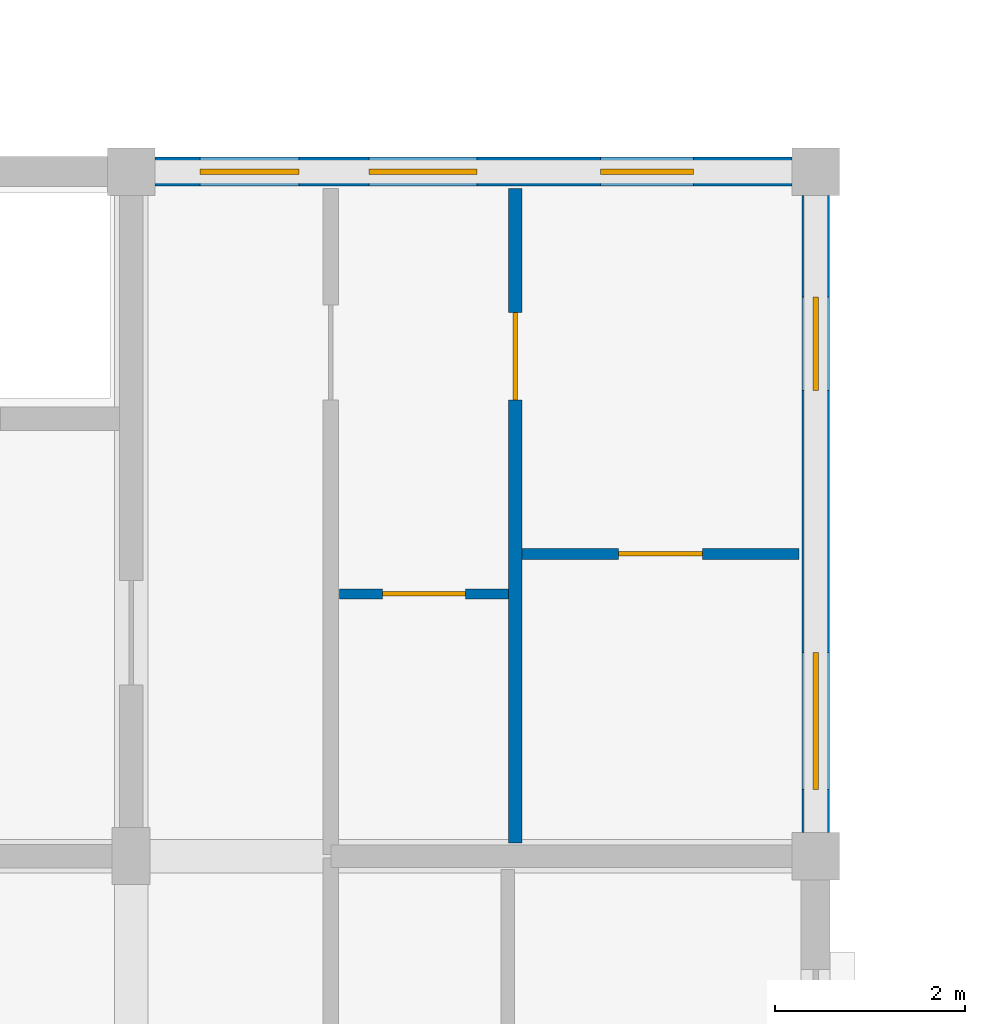
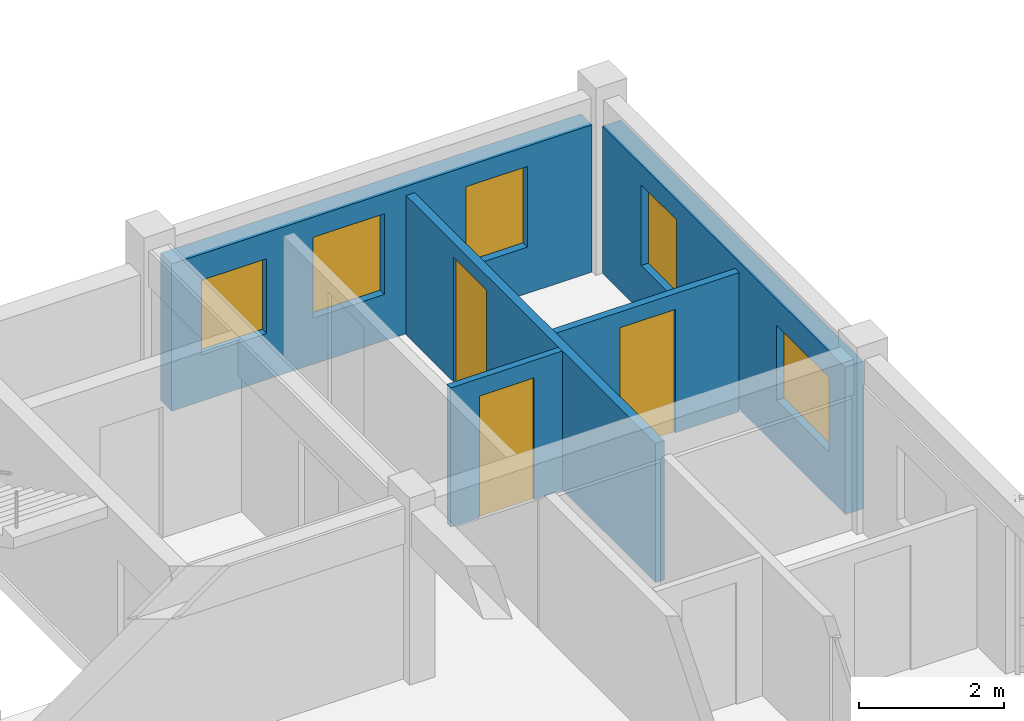
# One storey, part 53 of 70: 5 walls, 5 windows, 3 doors, 8 openings.
"""IFC4 building model written with IfcOpenShell, lengths in metres."""

from ifc_helpers import new_model, si_unit, direction, frame, frame_2d, origin, place, context, subcontext, project, spatial, rectangle, extrude, material, layer, layer_set, type_object, element, fill, save


model = new_model("IFC4")

# Units and contexts
model_context = context("Model", 3, precision=1e-05, world=origin(), true_north=direction((0.0, 1.0)))
body_context = subcontext(model_context, "Body", "Model", "MODEL_VIEW")
ifc_project = project(units=[si_unit("LENGTHUNIT", "METRE"), si_unit("AREAUNIT", "SQUARE_METRE"), si_unit("VOLUMEUNIT", "CUBIC_METRE"), si_unit("PLANEANGLEUNIT", "RADIAN"), si_unit("MASSUNIT", "GRAM", prefix="KILO"), si_unit("THERMODYNAMICTEMPERATUREUNIT", "KELVIN"), si_unit("POWERUNIT", "WATT")], contexts=[model_context])

# Site, building, storey
site_placement = place(None, origin())
site = spatial("IfcSite", under=ifc_project, at=site_placement, CompositionType="ELEMENT")
building_placement = place(site_placement, origin())
building = spatial("IfcBuilding", under=site, at=building_placement, Name="Tavuni Mirador Residences", CompositionType="ELEMENT")
storey_placement = place(building_placement, frame((0.0, 0.0, 23.39990234375)))
storey = spatial("IfcBuildingStorey", under=building, at=storey_placement, Name="L07", CompositionType="ELEMENT", Elevation=23.39990234375)

# Wall, openings, windows
ifc_material_1 = material(Name="Sgraffito lime-rendered precast concrete C40/50", Category="concrete")
ifc_layer_1 = layer(ifc_material_1, 0.2900390625, Name="Sgraffito lime-rendered precast concrete C40/50", Category="concrete")
ifc_layer_set_1 = layer_set([ifc_layer_1], Name="Sgraffito lime-rendered precast concrete C40/50")
wall_type_1 = type_object("IfcWallType", Name="WT-EXT-PC290", PredefinedType="SOLIDWALL", material=ifc_layer_set_1)
wall_1_placement = place(storey_placement, frame((25.199951171875, 86.64990234375, 0.0), z_axis=(0.0, 0.0, 1.0), x_axis=(0.0, 1.0, 0.0)))
wall_1 = element("IfcWall", 1, at=wall_1_placement, inside=storey, type_object=wall_type_1, Name="EW-BLK-B-L07-E03", PredefinedType="SOLIDWALL", context=body_context, shape_type="SweptSolid", body=[
    extrude(rectangle(XDim=6.7001953125, YDim=0.2900390625, at=frame_2d((3.35009765625, 0.0))), origin(), (0.0, 0.0, 1.0), 2.47998046875),
])
opening_1_placement = place(wall_1_placement, frame((0.449951171875, 0.0, 0.780029296875)))
opening_1 = element("IfcOpeningElement", 2, at=opening_1_placement, cuts=wall_1, Name="Opening WN-16", PredefinedType="OPENING", context=body_context, shape_type="SweptSolid", body=[
    extrude(rectangle(XDim=1.43994140625, YDim=1.260009765625, at=frame_2d((0.719970703125, 0.6298828125))), frame((0.0, 0.155029296875, 0.0), z_axis=(0.0, -1.0, 0.0), x_axis=(1.0, 0.0, 0.0)), (0.0, 0.0, 1.0), 0.31005859375),
])
opening_2_placement = place(wall_1_placement, frame((4.64990234375, 0.0, 0.780029296875)))
opening_2 = element("IfcOpeningElement", 3, at=opening_2_placement, cuts=wall_1, Name="Opening WN-18", PredefinedType="OPENING", context=body_context, shape_type="SweptSolid", body=[
    extrude(rectangle(XDim=0.97998046875, YDim=1.360107421875, at=frame_2d((0.489990234375, 0.68017578125))), frame((0.0, 0.155029296875, 0.0), z_axis=(0.0, -1.0, 0.0), x_axis=(1.0, 0.0, 0.0)), (0.0, 0.0, 1.0), 0.31005859375),
])
ifc_material_2 = material(Name="Laminated solar-control glass", Category="glass")
window_type_1 = type_object("IfcWindowType", Name="WNT-16", PartitioningType="SINGLE_PANEL", PredefinedType="WINDOW", material=ifc_material_2)
window_1_placement = place(opening_1_placement, origin())
window_1 = element("IfcWindow", 4, at=window_1_placement, inside=storey, type_object=window_type_1, Name="WIN-0758", OverallHeight=1.260009765625, OverallWidth=1.43994140625, PartitioningType="SINGLE_PANEL", PredefinedType="WINDOW", context=body_context, shape_type="SweptSolid", body=[
    extrude(rectangle(XDim=1.43994140625, YDim=1.260009765625, at=frame_2d((0.719970703125, 0.6298828125))), frame((0.0, 0.030029296875, 0.0), z_axis=(0.0, -1.0, 0.0), x_axis=(1.0, 0.0, 0.0)), (0.0, 0.0, 1.0), 0.06005859375),
])
fill(opening_1, window_1)
window_type_2 = type_object("IfcWindowType", Name="WNT-18", PartitioningType="SINGLE_PANEL", PredefinedType="WINDOW", material=ifc_material_2)
window_2_placement = place(opening_2_placement, origin())
window_2 = element("IfcWindow", 5, at=window_2_placement, inside=storey, type_object=window_type_2, Name="WIN-0759", OverallHeight=1.360107421875, OverallWidth=0.97998046875, PartitioningType="SINGLE_PANEL", PredefinedType="WINDOW", context=body_context, shape_type="SweptSolid", body=[
    extrude(rectangle(XDim=0.97998046875, YDim=1.360107421875, at=frame_2d((0.489990234375, 0.68017578125))), frame((0.0, 0.030029296875, 0.0), z_axis=(0.0, -1.0, 0.0), x_axis=(1.0, 0.0, 0.0)), (0.0, 0.0, 1.0), 0.06005859375),
])
fill(opening_2, window_2)

ifc_layer_2 = layer(ifc_material_1, 0.304931640625, Name="Sgraffito lime-rendered precast concrete C40/50", Category="concrete")
ifc_layer_set_2 = layer_set([ifc_layer_2], Name="Sgraffito lime-rendered precast concrete C40/50")
wall_type_2 = type_object("IfcWallType", Name="WT-EXT-PC305", PredefinedType="SOLIDWALL", material=ifc_layer_set_2)
wall_2_placement = place(storey_placement, frame((24.949951171875, 93.60009765625, 0.0), z_axis=(0.0, 0.0, 1.0), x_axis=(-1.0, 0.0, 0.0)))
wall_2 = element("IfcWall", 6, at=wall_2_placement, inside=storey, type_object=wall_type_2, Name="EW-BLK-B-L07-N02", PredefinedType="SOLIDWALL", context=body_context, shape_type="SweptSolid", body=[
    extrude(rectangle(XDim=6.699951171875, YDim=0.304931640625, at=frame_2d((3.35009765625, 0.0))), origin(), (0.0, 0.0, 1.0), 2.47998046875),
])
opening_3_placement = place(wall_2_placement, frame((1.034912109375, 0.0, 0.780029296875)))
opening_3 = element("IfcOpeningElement", 7, at=opening_3_placement, cuts=wall_2, Name="Opening WN-18", PredefinedType="OPENING", context=body_context, shape_type="SweptSolid", body=[
    extrude(rectangle(XDim=0.97998046875, YDim=1.360107421875, at=frame_2d((0.489990234375, 0.68017578125))), frame((0.0, 0.16259765625, 0.0), z_axis=(0.0, -1.0, 0.0), x_axis=(1.0, 0.0, 0.0)), (0.0, 0.0, 1.0), 0.324951171875),
])
opening_4_placement = place(wall_2_placement, frame((3.31005859375, 0.0, 0.780029296875)))
opening_4 = element("IfcOpeningElement", 8, at=opening_4_placement, cuts=wall_2, Name="Opening WN-20", PredefinedType="OPENING", context=body_context, shape_type="SweptSolid", body=[
    extrude(rectangle(XDim=1.139892578125, YDim=1.360107421875, at=frame_2d((0.56982421875, 0.68017578125))), frame((0.0, 0.16259765625, 0.0), z_axis=(0.0, -1.0, 0.0), x_axis=(1.0, 0.0, 0.0)), (0.0, 0.0, 1.0), 0.324951171875),
])
opening_5_placement = place(wall_2_placement, frame((5.18505859375, 0.0, 0.780029296875)))
opening_5 = element("IfcOpeningElement", 9, at=opening_5_placement, cuts=wall_2, Name="Opening WN-11", PredefinedType="OPENING", context=body_context, shape_type="SweptSolid", body=[
    extrude(rectangle(XDim=1.0400390625, YDim=1.260009765625, at=frame_2d((0.52001953125, 0.6298828125))), frame((0.0, 0.16259765625, 0.0), z_axis=(0.0, -1.0, 0.0), x_axis=(1.0, 0.0, 0.0)), (0.0, 0.0, 1.0), 0.324951171875),
])
window_type_3 = type_object("IfcWindowType", Name="WNT-11", PartitioningType="SINGLE_PANEL", PredefinedType="WINDOW", material=ifc_material_2)
window_3_placement = place(opening_5_placement, origin())
window_3 = element("IfcWindow", 10, at=window_3_placement, inside=storey, type_object=window_type_3, Name="WIN-0762", OverallHeight=1.260009765625, OverallWidth=1.0400390625, PartitioningType="SINGLE_PANEL", PredefinedType="WINDOW", context=body_context, shape_type="SweptSolid", body=[
    extrude(rectangle(XDim=1.0400390625, YDim=1.260009765625, at=frame_2d((0.52001953125, 0.6298828125))), frame((0.0, 0.030029296875, 0.0), z_axis=(0.0, -1.0, 0.0), x_axis=(1.0, 0.0, 0.0)), (0.0, 0.0, 1.0), 0.06005859375),
])
fill(opening_5, window_3)
window_4_placement = place(opening_3_placement, origin())
window_4 = element("IfcWindow", 11, at=window_4_placement, inside=storey, type_object=window_type_2, Name="WIN-0760", OverallHeight=1.360107421875, OverallWidth=0.97998046875, PartitioningType="SINGLE_PANEL", PredefinedType="WINDOW", context=body_context, shape_type="SweptSolid", body=[
    extrude(rectangle(XDim=0.97998046875, YDim=1.360107421875, at=frame_2d((0.489990234375, 0.68017578125))), frame((0.0, 0.030029296875, 0.0), z_axis=(0.0, -1.0, 0.0), x_axis=(1.0, 0.0, 0.0)), (0.0, 0.0, 1.0), 0.06005859375),
])
fill(opening_3, window_4)
window_type_4 = type_object("IfcWindowType", Name="WNT-20", PartitioningType="SINGLE_PANEL", PredefinedType="WINDOW", material=ifc_material_2)
window_5_placement = place(opening_4_placement, origin())
window_5 = element("IfcWindow", 12, at=window_5_placement, inside=storey, type_object=window_type_4, Name="WIN-0761", OverallHeight=1.360107421875, OverallWidth=1.139892578125, PartitioningType="SINGLE_PANEL", PredefinedType="WINDOW", context=body_context, shape_type="SweptSolid", body=[
    extrude(rectangle(XDim=1.139892578125, YDim=1.360107421875, at=frame_2d((0.56982421875, 0.68017578125))), frame((0.0, 0.030029296875, 0.0), z_axis=(0.0, -1.0, 0.0), x_axis=(1.0, 0.0, 0.0)), (0.0, 0.0, 1.0), 0.06005859375),
])
fill(opening_4, window_5)

# Wall, opening, door
ifc_material_3 = material(Name="Acoustic gypsum and concrete block partition", Category="concrete")
ifc_layer_3 = layer(ifc_material_3, 0.10498046875, Name="Acoustic gypsum and concrete block partition", Category="concrete")
ifc_layer_set_3 = layer_set([ifc_layer_3], Name="Acoustic gypsum and concrete block partition")
wall_type_3 = type_object("IfcWallType", Name="WT-PART105", PredefinedType="PARTITIONING", material=ifc_layer_set_3)
wall_3_placement = place(storey_placement, frame((20.18994140625, 89.159912109375, 0.0), z_axis=(0.0, 0.0, 1.0), x_axis=(1.0, 0.0, 0.0)))
wall_3 = element("IfcWall", 13, at=wall_3_placement, inside=storey, type_object=wall_type_3, Name="PW-BLK-B-L07-E03-IN1", PredefinedType="PARTITIONING", context=body_context, shape_type="SweptSolid", body=[
    extrude(rectangle(XDim=1.780029296875, YDim=0.10498046875, at=frame_2d((0.89013671875, 0.0))), origin(), (0.0, 0.0, 1.0), 2.34521484375),
])
opening_6_placement = place(wall_3_placement, frame((0.455078125, 0.0, 0.0)))
opening_6 = element("IfcOpeningElement", 14, at=opening_6_placement, cuts=wall_3, Name="Opening D-10", PredefinedType="OPENING", context=body_context, shape_type="SweptSolid", body=[
    extrude(rectangle(XDim=0.8701171875, YDim=2.050048828125, at=frame_2d((0.43505859375, 1.02490234375))), frame((0.0, 0.0625, 0.0), z_axis=(0.0, -1.0, 0.0), x_axis=(1.0, 0.0, 0.0)), (0.0, 0.0, 1.0), 0.125),
])
ifc_material_4 = material(Name="Solid core iroko timber", Category="wood")
door_type_1 = type_object("IfcDoorType", Name="DT-WC870", OperationType="NOTDEFINED", PredefinedType="DOOR", material=ifc_material_4)
door_1_placement = place(opening_6_placement, origin())
door_1 = element("IfcDoor", 15, at=door_1_placement, inside=storey, type_object=door_type_1, Name="DR-3620", OperationType="SINGLE_SWING_LEFT", OverallHeight=2.050048828125, OverallWidth=0.8701171875, PredefinedType="DOOR", context=body_context, shape_type="SweptSolid", body=[
    extrude(rectangle(XDim=0.8701171875, YDim=2.050048828125, at=frame_2d((0.43505859375, 1.02490234375))), frame((0.0, 0.02490234375, 0.0), z_axis=(0.0, -1.0, 0.0), x_axis=(1.0, 0.0, 0.0)), (0.0, 0.0, 1.0), 0.050048828125),
])
fill(opening_6, door_1)

ifc_layer_4 = layer(ifc_material_3, 0.114990234375, Name="Acoustic gypsum and concrete block partition", Category="concrete")
ifc_layer_set_4 = layer_set([ifc_layer_4], Name="Acoustic gypsum and concrete block partition")
wall_type_4 = type_object("IfcWallType", Name="WT-PART115", PredefinedType="PARTITIONING", material=ifc_layer_set_4)
wall_4_placement = place(storey_placement, frame((22.110107421875, 89.580078125, 0.0), z_axis=(0.0, 0.0, 1.0), x_axis=(1.0, 0.0, 0.0)))
wall_4 = element("IfcWall", 16, at=wall_4_placement, inside=storey, type_object=wall_type_4, Name="PW-BLK-B-L07-E03-OUT", PredefinedType="PARTITIONING", context=body_context, shape_type="SweptSolid", body=[
    extrude(rectangle(XDim=2.914794921875, YDim=0.114990234375, at=frame_2d((1.45751953125, 0.0))), origin(), (0.0, 0.0, 1.0), 2.34521484375),
])
opening_7_placement = place(wall_4_placement, frame((1.017578125, 0.0, 0.0)))
opening_7 = element("IfcOpeningElement", 17, at=opening_7_placement, cuts=wall_4, Name="Opening D-08", PredefinedType="OPENING", context=body_context, shape_type="SweptSolid", body=[
    extrude(rectangle(XDim=0.8798828125, YDim=2.080078125, at=frame_2d((0.43994140625, 1.0400390625))), frame((0.0, 0.0673828125, 0.0), z_axis=(0.0, -1.0, 0.0), x_axis=(1.0, 0.0, 0.0)), (0.0, 0.0, 1.0), 0.135009765625),
])
door_type_2 = type_object("IfcDoorType", Name="DT-BED880", OperationType="NOTDEFINED", PredefinedType="DOOR", material=ifc_material_4)
door_2_placement = place(opening_7_placement, origin())
door_2 = element("IfcDoor", 18, at=door_2_placement, inside=storey, type_object=door_type_2, Name="DR-3619", OperationType="SINGLE_SWING_RIGHT", OverallHeight=2.080078125, OverallWidth=0.8798828125, PredefinedType="DOOR", context=body_context, shape_type="SweptSolid", body=[
    extrude(rectangle(XDim=0.8798828125, YDim=2.080078125, at=frame_2d((0.43994140625, 1.0400390625))), frame((0.0, 0.02490234375, 0.0), z_axis=(0.0, -1.0, 0.0), x_axis=(1.0, 0.0, 0.0)), (0.0, 0.0, 1.0), 0.050048828125),
])
fill(opening_7, door_2)

ifc_layer_5 = layer(ifc_material_3, 0.139892578125, Name="Acoustic gypsum and concrete block partition", Category="concrete")
ifc_layer_set_5 = layer_set([ifc_layer_5], Name="Acoustic gypsum and concrete block partition")
wall_type_5 = type_object("IfcWallType", Name="WT-PART140", PredefinedType="PARTITIONING", material=ifc_layer_set_5)
wall_5_placement = place(storey_placement, frame((22.0400390625, 86.5400390625, 0.0), z_axis=(0.0, 0.0, 1.0), x_axis=(0.0, 1.0, 0.0)))
wall_5 = element("IfcWall", 19, at=wall_5_placement, inside=storey, type_object=wall_type_5, Name="PW-BLK-B-L07-E03-MID", PredefinedType="PARTITIONING", context=body_context, shape_type="SweptSolid", body=[
    extrude(rectangle(XDim=6.885009765625, YDim=0.139892578125, at=frame_2d((3.4423828125, 0.0))), origin(), (0.0, 0.0, 1.0), 2.34521484375),
])
opening_8_placement = place(wall_5_placement, frame((4.659912109375, 0.0, 0.0)))
opening_8 = element("IfcOpeningElement", 20, at=opening_8_placement, cuts=wall_5, Name="Opening D-06", PredefinedType="OPENING", context=body_context, shape_type="SweptSolid", body=[
    extrude(rectangle(XDim=0.919921875, YDim=2.10009765625, at=frame_2d((0.4599609375, 1.050048828125))), frame((0.0, 0.080078125, 0.0), z_axis=(0.0, -1.0, 0.0), x_axis=(1.0, 0.0, 0.0)), (0.0, 0.0, 1.0), 0.159912109375),
])
door_type_3 = type_object("IfcDoorType", Name="DT-INT920", OperationType="NOTDEFINED", PredefinedType="DOOR", material=ifc_material_4)
door_3_placement = place(opening_8_placement, origin())
door_3 = element("IfcDoor", 21, at=door_3_placement, inside=storey, type_object=door_type_3, Name="DR-3621", OperationType="SINGLE_SWING_RIGHT", OverallHeight=2.10009765625, OverallWidth=0.919921875, PredefinedType="DOOR", context=body_context, shape_type="SweptSolid", body=[
    extrude(rectangle(XDim=0.919921875, YDim=2.10009765625, at=frame_2d((0.4599609375, 1.050048828125))), frame((0.0, 0.02490234375, 0.0), z_axis=(0.0, -1.0, 0.0), x_axis=(1.0, 0.0, 0.0)), (0.0, 0.0, 1.0), 0.050048828125),
])
fill(opening_8, door_3)

save(model, "model.ifc")
